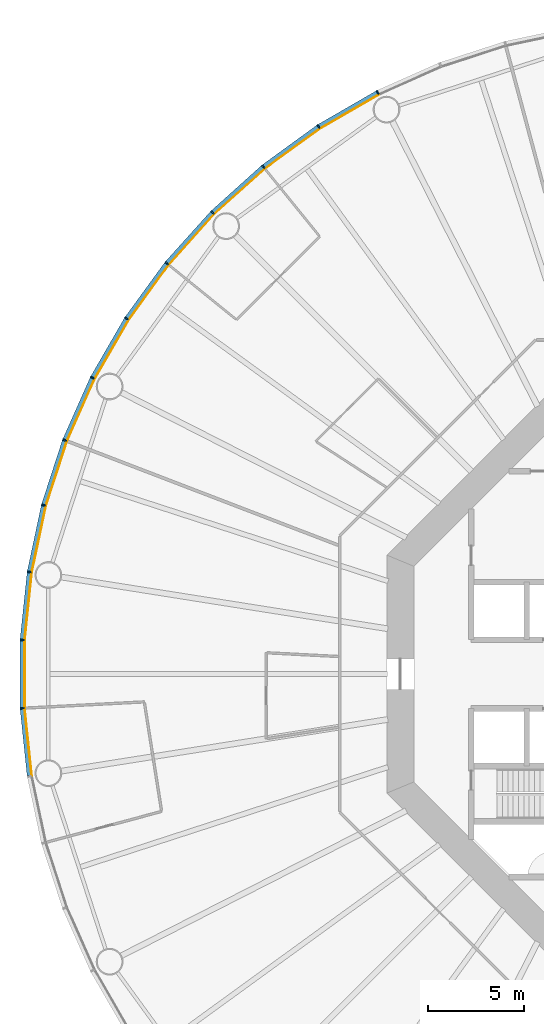
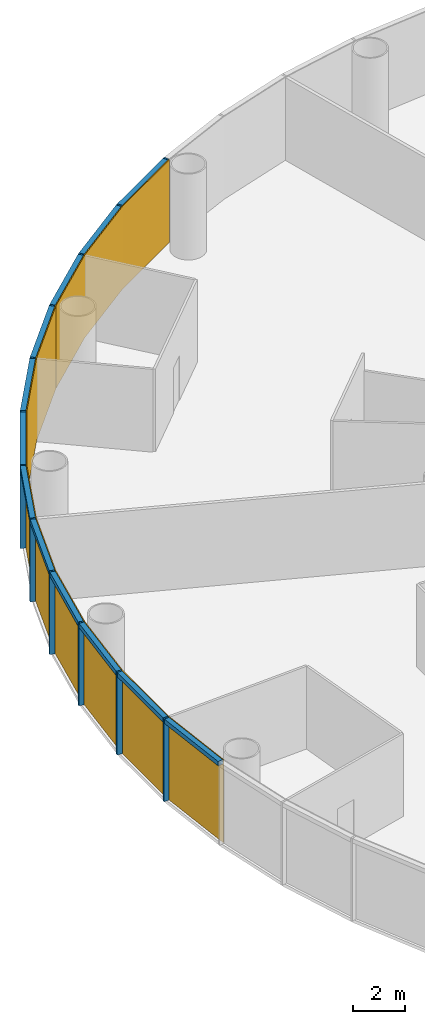
# One storey, part 8 of 12: 24 members, 4 curtain walls.
"""IFC4 building model written with IfcOpenShell, lengths in metres."""

from ifc_helpers import new_model, si_unit, direction, frame, origin, origin_2d, place, context, subcontext, project, spatial, polyline, rectangle, outline, extrude, material, layer, layer_set, material_profile, profile_set, type_object, element, aggregate, save


model = new_model("IFC4")

# Units and contexts
model_context = context("Model", 3, precision=1e-05, world=origin(), true_north=direction((0.0, 1.0)))
body_context = subcontext(model_context, "Body", "Model", "MODEL_VIEW")
ifc_project = project(units=[si_unit("LENGTHUNIT", "METRE"), si_unit("AREAUNIT", "SQUARE_METRE"), si_unit("VOLUMEUNIT", "CUBIC_METRE"), si_unit("PLANEANGLEUNIT", "RADIAN"), si_unit("MASSUNIT", "GRAM", prefix="KILO")], contexts=[model_context])

# Member
ifc_material_1 = material(Name="Anodised aluminium", Category="aluminium")
ifc_material_profile_1 = material_profile(ifc_material_1, rectangle(XDim=0.074951171875, YDim=0.219970703125, at=origin_2d()), Name="Mullion 75 x 220 mm anodised aluminium")
ifc_profile_set_1 = profile_set([ifc_material_profile_1], Name="Anodised aluminium")
member_type_1 = type_object("IfcMemberType", Name="Mullion 75 x 220 mm anodised aluminium", PredefinedType="MULLION", material=ifc_profile_set_1)
site_placement = place(None, origin())
building_placement = place(site_placement, origin())
storey_placement = place(building_placement, frame((0.0, 0.0, 66.0)))
member_1_placement = place(storey_placement, frame((74.514404296875, 110.392333984375, 0.0), z_axis=(0.0, 0.0, 1.0), x_axis=(-0.891006524188, -0.45399049974, 0.0)))
member_1 = element("IfcMember", 1, at=member_1_placement, type_object=member_type_1, Name="MULLION L14-18", PredefinedType="MULLION", context=body_context, shape_type="SweptSolid", body=[
    extrude(rectangle(XDim=0.074951171875, YDim=0.219970703125, at=origin_2d()), origin(), (0.0, 0.0, 1.0), 3.85009765625),
])

member_2_placement = place(storey_placement, frame((71.42236328125, 108.60693359375, 0.0), z_axis=(0.0, 0.0, 1.0), x_axis=(-0.838670567945, -0.544639035015, 0.0)))
member_2 = element("IfcMember", 2, at=member_2_placement, type_object=member_type_1, Name="MULLION L14-19", PredefinedType="MULLION", context=body_context, shape_type="SweptSolid", body=[
    extrude(rectangle(XDim=0.074951171875, YDim=0.219970703125, at=origin_2d()), origin(), (0.0, 0.0, 1.0), 3.85009765625),
])

member_3_placement = place(storey_placement, frame((68.533935546875, 106.508544921875, 0.0), z_axis=(0.0, 0.0, 1.0), x_axis=(-0.777145961457, -0.62932039105, 0.0)))
member_3 = element("IfcMember", 3, at=member_3_placement, type_object=member_type_1, Name="MULLION L14-20", PredefinedType="MULLION", context=body_context, shape_type="SweptSolid", body=[
    extrude(rectangle(XDim=0.074951171875, YDim=0.219970703125, at=origin_2d()), origin(), (0.0, 0.0, 1.0), 3.85009765625),
])

member_4_placement = place(storey_placement, frame((65.880615234375, 104.119384765625, 0.0), z_axis=(0.0, 0.0, 1.0), x_axis=(-0.707106781187, -0.707106781187, 0.0)))
member_4 = element("IfcMember", 4, at=member_4_placement, type_object=member_type_1, Name="MULLION L14-21", PredefinedType="MULLION", context=body_context, shape_type="SweptSolid", body=[
    extrude(rectangle(XDim=0.074951171875, YDim=0.219970703125, at=origin_2d()), origin(), (0.0, 0.0, 1.0), 3.85009765625),
])

member_5_placement = place(storey_placement, frame((63.491455078125, 101.466064453125, 0.0), z_axis=(0.0, 0.0, 1.0), x_axis=(-0.62932039105, -0.777145961457, 0.0)))
member_5 = element("IfcMember", 5, at=member_5_placement, type_object=member_type_1, Name="MULLION L14-22", PredefinedType="MULLION", context=body_context, shape_type="SweptSolid", body=[
    extrude(rectangle(XDim=0.074951171875, YDim=0.219970703125, at=origin_2d()), origin(), (0.0, 0.0, 1.0), 3.85009765625),
])

member_6_placement = place(storey_placement, frame((61.39306640625, 98.57763671875, 0.0), z_axis=(0.0, 0.0, 1.0), x_axis=(-0.544639035015, -0.838670567945, 0.0)))
member_6 = element("IfcMember", 6, at=member_6_placement, type_object=member_type_1, Name="MULLION L14-23", PredefinedType="MULLION", context=body_context, shape_type="SweptSolid", body=[
    extrude(rectangle(XDim=0.074951171875, YDim=0.219970703125, at=origin_2d()), origin(), (0.0, 0.0, 1.0), 3.85009765625),
])

member_7_placement = place(storey_placement, frame((59.607666015625, 95.485595703125, 0.0), z_axis=(0.0, 0.0, 1.0), x_axis=(-0.45399049974, -0.891006524188, 0.0)))
member_7 = element("IfcMember", 7, at=member_7_placement, type_object=member_type_1, Name="MULLION L14-24", PredefinedType="MULLION", context=body_context, shape_type="SweptSolid", body=[
    extrude(rectangle(XDim=0.074951171875, YDim=0.219970703125, at=origin_2d()), origin(), (0.0, 0.0, 1.0), 3.85009765625),
])

member_8_placement = place(storey_placement, frame((58.155517578125, 92.223876953125, 0.0), z_axis=(0.0, 0.0, 1.0), x_axis=(-0.358367949545, -0.933580426497, 0.0)))
member_8 = element("IfcMember", 8, at=member_8_placement, type_object=member_type_1, Name="MULLION L14-25", PredefinedType="MULLION", context=body_context, shape_type="SweptSolid", body=[
    extrude(rectangle(XDim=0.074951171875, YDim=0.219970703125, at=origin_2d()), origin(), (0.0, 0.0, 1.0), 3.85009765625),
])

member_9_placement = place(storey_placement, frame((57.05224609375, 88.828369140625, 0.0), z_axis=(0.0, 0.0, 1.0), x_axis=(-0.258819045103, -0.965925826289, 0.0)))
member_9 = element("IfcMember", 9, at=member_9_placement, type_object=member_type_1, Name="MULLION L14-26", PredefinedType="MULLION", context=body_context, shape_type="SweptSolid", body=[
    extrude(rectangle(XDim=0.074951171875, YDim=0.219970703125, at=origin_2d()), origin(), (0.0, 0.0, 1.0), 3.85009765625),
])

member_10_placement = place(storey_placement, frame((56.31005859375, 85.3359375, 0.0), z_axis=(0.0, 0.0, 1.0), x_axis=(-0.15643446504, -0.987688340595, 0.0)))
member_10 = element("IfcMember", 10, at=member_10_placement, type_object=member_type_1, Name="MULLION L14-27", PredefinedType="MULLION", context=body_context, shape_type="SweptSolid", body=[
    extrude(rectangle(XDim=0.074951171875, YDim=0.219970703125, at=origin_2d()), origin(), (0.0, 0.0, 1.0), 3.85009765625),
])

member_11_placement = place(storey_placement, frame((55.936767578125, 81.78515625, 0.0), z_axis=(0.0, 0.0, 1.0), x_axis=(-0.052335956243, -0.998629534755, 0.0)))
member_11 = element("IfcMember", 11, at=member_11_placement, type_object=member_type_1, Name="MULLION L14-28", PredefinedType="MULLION", context=body_context, shape_type="SweptSolid", body=[
    extrude(rectangle(XDim=0.074951171875, YDim=0.219970703125, at=origin_2d()), origin(), (0.0, 0.0, 1.0), 3.85009765625),
])

member_12_placement = place(storey_placement, frame((55.936767578125, 78.21484375, 0.0), z_axis=(0.0, 0.0, 1.0), x_axis=(0.052335956243, -0.998629534755, 0.0)))
member_12 = element("IfcMember", 12, at=member_12_placement, type_object=member_type_1, Name="MULLION L14-29", PredefinedType="MULLION", context=body_context, shape_type="SweptSolid", body=[
    extrude(rectangle(XDim=0.074951171875, YDim=0.219970703125, at=origin_2d()), origin(), (0.0, 0.0, 1.0), 3.85009765625),
])

ifc_material_2 = material(Name="Anodised aluminium", Category="aluminium")
ifc_material_profile_2 = material_profile(ifc_material_2, rectangle(XDim=0.219970703125, YDim=0.199951171875, at=origin_2d()), Name="Transom 200 x 220 mm anodised aluminium")
ifc_profile_set_2 = profile_set([ifc_material_profile_2], Name="Anodised aluminium")
member_type_2 = type_object("IfcMemberType", Name="Transom 200 x 220 mm anodised aluminium", PredefinedType="USERDEFINED", material=ifc_profile_set_2)
member_13_placement = place(storey_placement, frame((74.476806640625, 110.370849609375, 3.75), z_axis=(-0.866022206254, -0.500005538244, 0.0), x_axis=(0.500005538244, -0.866022206254, 0.0)))
member_13 = element("IfcMember", 13, at=member_13_placement, type_object=member_type_2, Name="TRANSOM L14-18", ObjectType="TRANSOM", PredefinedType="USERDEFINED", context=body_context, shape_type="SweptSolid", body=[
    extrude(rectangle(XDim=0.219970703125, YDim=0.199951171875, at=origin_2d()), origin(), (0.0, 0.0, 1.0), 3.48388671875),
])

member_14_placement = place(storey_placement, frame((71.38720703125, 108.581787109375, 3.75), z_axis=(-0.80899056535, -0.587821627006, 0.0), x_axis=(0.587821627006, -0.80899056535, 0.0)))
member_14 = element("IfcMember", 14, at=member_14_placement, type_object=member_type_2, Name="TRANSOM L14-19", ObjectType="TRANSOM", PredefinedType="USERDEFINED", context=body_context, shape_type="SweptSolid", body=[
    extrude(rectangle(XDim=0.219970703125, YDim=0.199951171875, at=origin_2d()), origin(), (0.0, 0.0, 1.0), 3.48388671875),
])

member_15_placement = place(storey_placement, frame((68.501708984375, 106.479736328125, 3.75), z_axis=(-0.743137329876, -0.669138930974, 0.0), x_axis=(0.669138930974, -0.743137329876, 0.0)))
member_15 = element("IfcMember", 15, at=member_15_placement, type_object=member_type_2, Name="TRANSOM L14-20", ObjectType="TRANSOM", PredefinedType="USERDEFINED", context=body_context, shape_type="SweptSolid", body=[
    extrude(rectangle(XDim=0.219970703125, YDim=0.199951171875, at=origin_2d()), origin(), (0.0, 0.0, 1.0), 3.484130859375),
])

member_16_placement = place(storey_placement, frame((65.8515625, 104.08740234375, 3.75), z_axis=(-0.669138930974, -0.743137329876, 0.0), x_axis=(0.743137329876, -0.669138930974, 0.0)))
member_16 = element("IfcMember", 16, at=member_16_placement, type_object=member_type_2, Name="TRANSOM L14-21", ObjectType="TRANSOM", PredefinedType="USERDEFINED", context=body_context, shape_type="SweptSolid", body=[
    extrude(rectangle(XDim=0.219970703125, YDim=0.199951171875, at=origin_2d()), origin(), (0.0, 0.0, 1.0), 3.484130859375),
])

member_17_placement = place(storey_placement, frame((63.466064453125, 101.43115234375, 3.75), z_axis=(-0.587821627006, -0.80899056535, 0.0), x_axis=(0.80899056535, -0.587821627006, 0.0)))
member_17 = element("IfcMember", 17, at=member_17_placement, type_object=member_type_2, Name="TRANSOM L14-22", ObjectType="TRANSOM", PredefinedType="USERDEFINED", context=body_context, shape_type="SweptSolid", body=[
    extrude(rectangle(XDim=0.219970703125, YDim=0.199951171875, at=origin_2d()), origin(), (0.0, 0.0, 1.0), 3.48388671875),
])

member_18_placement = place(storey_placement, frame((61.37109375, 98.540283203125, 3.75), z_axis=(-0.500005538244, -0.866022206254, 0.0), x_axis=(0.866022206254, -0.500005538244, 0.0)))
member_18 = element("IfcMember", 18, at=member_18_placement, type_object=member_type_2, Name="TRANSOM L14-23", ObjectType="TRANSOM", PredefinedType="USERDEFINED", context=body_context, shape_type="SweptSolid", body=[
    extrude(rectangle(XDim=0.219970703125, YDim=0.199951171875, at=origin_2d()), origin(), (0.0, 0.0, 1.0), 3.48388671875),
])

member_19_placement = place(storey_placement, frame((59.590087890625, 95.446044921875, 3.75), z_axis=(-0.406736576304, -0.913545487371, 0.0), x_axis=(0.913545487371, -0.406736576304, 0.0)))
member_19 = element("IfcMember", 19, at=member_19_placement, type_object=member_type_2, Name="TRANSOM L14-24", ObjectType="TRANSOM", PredefinedType="USERDEFINED", context=body_context, shape_type="SweptSolid", body=[
    extrude(rectangle(XDim=0.219970703125, YDim=0.199951171875, at=origin_2d()), origin(), (0.0, 0.0, 1.0), 3.48388671875),
])

member_20_placement = place(storey_placement, frame((58.14208984375, 92.182861328125, 3.75), z_axis=(-0.309029029702, -0.951052605696, 0.0), x_axis=(0.951052605696, -0.309029029702, 0.0)))
member_20 = element("IfcMember", 20, at=member_20_placement, type_object=member_type_2, Name="TRANSOM L14-25", ObjectType="TRANSOM", PredefinedType="USERDEFINED", context=body_context, shape_type="SweptSolid", body=[
    extrude(rectangle(XDim=0.219970703125, YDim=0.199951171875, at=origin_2d()), origin(), (0.0, 0.0, 1.0), 3.484130859375),
])

member_21_placement = place(storey_placement, frame((57.043212890625, 88.7861328125, 3.75), z_axis=(-0.207920776701, -0.978145669426, 0.0), x_axis=(0.978145669426, -0.207920776701, 0.0)))
member_21 = element("IfcMember", 21, at=member_21_placement, type_object=member_type_2, Name="TRANSOM L14-26", ObjectType="TRANSOM", PredefinedType="USERDEFINED", context=body_context, shape_type="SweptSolid", body=[
    extrude(rectangle(XDim=0.219970703125, YDim=0.199951171875, at=origin_2d()), origin(), (0.0, 0.0, 1.0), 3.48388671875),
])

member_22_placement = place(storey_placement, frame((56.30517578125, 85.29296875, 3.75), z_axis=(-0.104484152234, -0.994526551648, 0.0), x_axis=(0.994526551648, -0.104484152234, 0.0)))
member_22 = element("IfcMember", 22, at=member_22_placement, type_object=member_type_2, Name="TRANSOM L14-27", ObjectType="TRANSOM", PredefinedType="USERDEFINED", context=body_context, shape_type="SweptSolid", body=[
    extrude(rectangle(XDim=0.219970703125, YDim=0.199951171875, at=origin_2d()), origin(), (0.0, 0.0, 1.0), 3.48388671875),
])

member_23_placement = place(storey_placement, frame((55.9365234375, 81.741943359375, 3.75), z_axis=(0.0, -1.0, 0.0), x_axis=(1.0, 0.0, 0.0)))
member_23 = element("IfcMember", 23, at=member_23_placement, type_object=member_type_2, Name="TRANSOM L14-28", ObjectType="TRANSOM", PredefinedType="USERDEFINED", context=body_context, shape_type="SweptSolid", body=[
    extrude(rectangle(XDim=0.219970703125, YDim=0.199951171875, at=origin_2d()), origin(), (0.0, 0.0, 1.0), 3.48388671875),
])

member_24_placement = place(storey_placement, frame((55.941162109375, 78.171875, 3.75), z_axis=(0.104484152234, -0.994526551648, 0.0), x_axis=(0.994526551648, 0.104484152234, 0.0)))
member_24 = element("IfcMember", 24, at=member_24_placement, type_object=member_type_2, Name="TRANSOM L14-29", ObjectType="TRANSOM", PredefinedType="USERDEFINED", context=body_context, shape_type="SweptSolid", body=[
    extrude(rectangle(XDim=0.219970703125, YDim=0.199951171875, at=origin_2d()), origin(), (0.0, 0.0, 1.0), 3.48388671875),
])

# Site, building, storey
site = spatial("IfcSite", under=ifc_project, at=site_placement, CompositionType="ELEMENT")
building = spatial("IfcBuilding", under=site, at=building_placement, Name="Entoto Ring Tower", CompositionType="ELEMENT")
storey = spatial("IfcBuildingStorey", under=building, at=storey_placement, Name="L14", CompositionType="ELEMENT", Elevation=66.0)

# Curtain wall
ifc_material_3 = material(Name="Clear low-iron glass", Category="glass")
ifc_layer = layer(ifc_material_3, 0.0400390625)
ifc_layer_set = layer_set([ifc_layer], Name="Clear low-iron glass")
curtain_wall_type = type_object("IfcCurtainWallType", Name="Curtain wall system CW1 glazing 40 mm", PredefinedType="NOTDEFINED", material=ifc_layer_set)
curtain_wall_1_placement = place(storey_placement, origin())
curtain_wall_1 = element("IfcCurtainWall", 25, at=curtain_wall_1_placement, inside=storey, type_object=curtain_wall_type, Name="CW1 L14-07", PredefinedType="NOTDEFINED", context=body_context, shape_type="SweptSolid", body=[
    extrude(outline(polyline([(74.564208984375, 110.294189453125), (71.482177734375, 108.514892578125), (68.60302734375, 106.4228515625), (65.958251953125, 104.041748046875), (65.986572265625, 104.013427734375), (68.62841796875, 106.391845703125), (71.504150390625, 108.481201171875), (74.58251953125, 110.258544921875), (74.564208984375, 110.294189453125)])), origin(), (0.0, 0.0, 1.0), 3.85009765625),
])

aggregate(curtain_wall_1, [member_1, member_2, member_3, member_13, member_14, member_15])

curtain_wall_2_placement = place(storey_placement, origin())
curtain_wall_2 = element("IfcCurtainWall", 26, at=curtain_wall_2_placement, inside=storey, type_object=curtain_wall_type, Name="CW1 L14-08", PredefinedType="NOTDEFINED", context=body_context, shape_type="SweptSolid", body=[
    extrude(outline(polyline([(65.958251953125, 104.041748046875), (63.5771484375, 101.39697265625), (61.485107421875, 98.517822265625), (59.705810546875, 95.435791015625), (59.741455078125, 95.41748046875), (61.518798828125, 98.495849609375), (63.608154296875, 101.37158203125), (65.986572265625, 104.013427734375), (65.958251953125, 104.041748046875)])), origin(), (0.0, 0.0, 1.0), 3.85009765625),
])

aggregate(curtain_wall_2, [member_4, member_5, member_6, member_16, member_17, member_18])

curtain_wall_3_placement = place(storey_placement, origin())
curtain_wall_3 = element("IfcCurtainWall", 27, at=curtain_wall_3_placement, inside=storey, type_object=curtain_wall_type, Name="CW1 L14-09", PredefinedType="NOTDEFINED", context=body_context, shape_type="SweptSolid", body=[
    extrude(outline(polyline([(59.705810546875, 95.435791015625), (58.25830078125, 92.1845703125), (57.158447265625, 88.7998046875), (56.418701171875, 85.31884765625), (56.458251953125, 85.3125), (57.197265625, 88.78955078125), (58.295654296875, 92.170166015625), (59.741455078125, 95.41748046875), (59.705810546875, 95.435791015625)])), origin(), (0.0, 0.0, 1.0), 3.85009765625),
])

aggregate(curtain_wall_3, [member_7, member_8, member_9, member_19, member_20, member_21])

curtain_wall_4_placement = place(storey_placement, origin())
curtain_wall_4 = element("IfcCurtainWall", 28, at=curtain_wall_4_placement, inside=storey, type_object=curtain_wall_type, Name="CW1 L14-10", PredefinedType="NOTDEFINED", context=body_context, shape_type="SweptSolid", body=[
    extrude(outline(polyline([(56.418701171875, 85.31884765625), (56.046630859375, 81.779541015625), (56.046630859375, 78.220458984375), (56.418701171875, 74.68115234375), (56.458251953125, 74.6875), (56.086669921875, 78.22265625), (56.086669921875, 81.77734375), (56.458251953125, 85.3125), (56.418701171875, 85.31884765625)])), origin(), (0.0, 0.0, 1.0), 3.85009765625),
])

aggregate(curtain_wall_4, [member_10, member_11, member_12, member_22, member_23, member_24])

save(model, "model.ifc")
